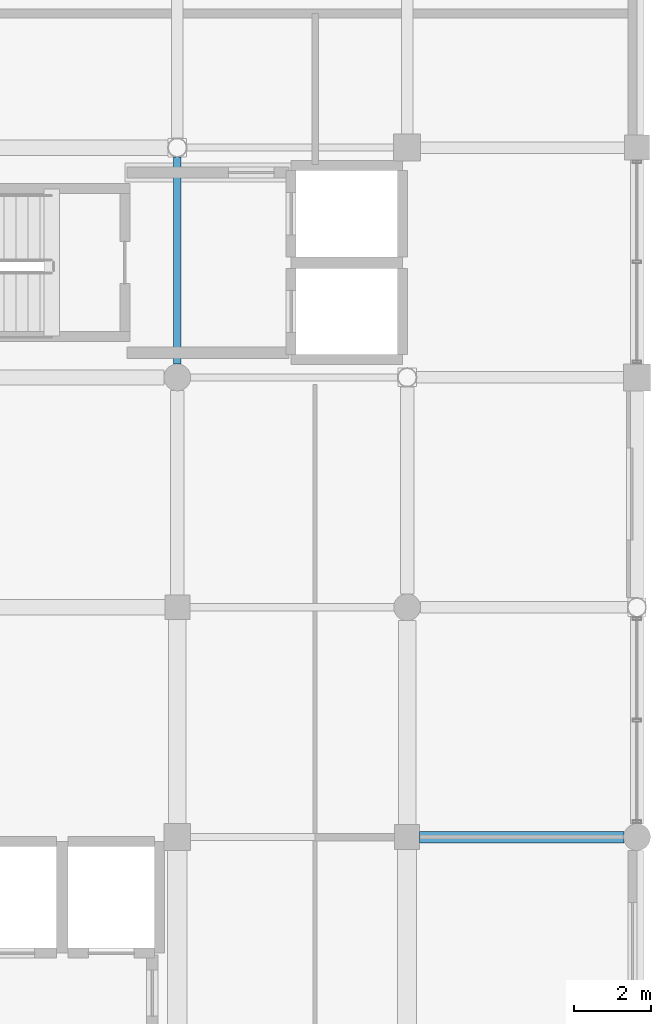
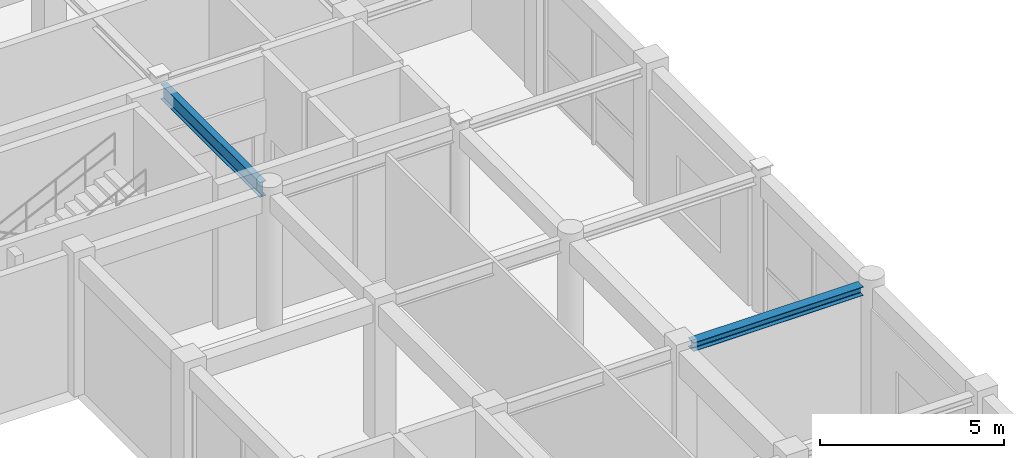
# One storey, part 77 of 112: 2 beams.
"""IFC4 building model written with IfcOpenShell, lengths in metres."""

from ifc_helpers import new_model, si_unit, direction, frame, origin, origin_2d, place, context, subcontext, project, spatial, i_section, extrude, material, material_profile, profile_set, type_object, element, save


model = new_model("IFC4")

# Units and contexts
model_context = context("Model", 3, precision=1e-05, world=origin(), true_north=direction((0.0, 1.0)))
body_context = subcontext(model_context, "Body", "Model", "MODEL_VIEW")
ifc_project = project(units=[si_unit("LENGTHUNIT", "METRE"), si_unit("AREAUNIT", "SQUARE_METRE"), si_unit("VOLUMEUNIT", "CUBIC_METRE"), si_unit("PLANEANGLEUNIT", "RADIAN"), si_unit("MASSUNIT", "GRAM", prefix="KILO"), si_unit("THERMODYNAMICTEMPERATUREUNIT", "KELVIN"), si_unit("POWERUNIT", "WATT")], contexts=[model_context])

# Site, building, storey
site_placement = place(None, origin())
site = spatial("IfcSite", under=ifc_project, at=site_placement, CompositionType="ELEMENT")
building_placement = place(site_placement, origin())
building = spatial("IfcBuilding", under=site, at=building_placement, Name="Phaisarnlok Congress Hotel", CompositionType="ELEMENT")
storey_placement = place(building_placement, frame((0.0, 0.0, 19.800048828125)))
storey = spatial("IfcBuildingStorey", under=building, at=storey_placement, Name="L04", CompositionType="ELEMENT", Elevation=19.800048828125)

# Beams
ifc_material = material(Name="Steel S355", Category="steel")
ifc_material_profile_1 = material_profile(ifc_material, i_section(OverallWidth=0.300048828125, OverallDepth=0.2900390625, WebThickness=0.008544921875, FlangeThickness=0.013916015625, FilletRadius=0.027099609375, at=origin_2d()), Name="HEA 300")
ifc_profile_set_1 = profile_set([ifc_material_profile_1], Name="Steel S355")
beam_type_1 = type_object("IfcBeamType", Name="BM-STL-HEA300", PredefinedType="BEAM", material=ifc_profile_set_1)
beam_1_placement = place(storey_placement, frame((174.320068359375, 96.0, 4.405029296875), z_axis=(1.0, 0.0, 0.0), x_axis=(0.0, 1.0, 0.0)))
element("IfcBeam", 1, at=beam_1_placement, inside=storey, type_object=beam_type_1, Name="Beam SB-05", PredefinedType="BEAM", context=body_context, shape_type="SweptSolid", body=[
    extrude(i_section(OverallWidth=0.300048828125, OverallDepth=0.2900390625, WebThickness=0.008544921875, FlangeThickness=0.013916015625, FilletRadius=0.027099609375, at=origin_2d()), origin(), (0.0, 0.0, 1.0), 5.3349609375),
])
ifc_material_profile_2 = material_profile(ifc_material, i_section(OverallWidth=0.199951171875, OverallDepth=0.5, WebThickness=0.01025390625, FlangeThickness=0.01611328125, FilletRadius=0.02099609375, at=origin_2d()), Name="IPE 500")
ifc_profile_set_2 = profile_set([ifc_material_profile_2], Name="Steel S355")
beam_type_2 = type_object("IfcBeamType", Name="BM-STL-IPE500", PredefinedType="BEAM", material=ifc_profile_set_2)
beam_2_placement = place(storey_placement, frame((168.0, 108.344970703125, 4.300048828125), z_axis=(0.0, 1.0, 0.0), x_axis=(-1.0, 0.0, 0.0)))
element("IfcBeam", 2, at=beam_2_placement, inside=storey, type_object=beam_type_2, Name="Beam SB-02", PredefinedType="BEAM", context=body_context, shape_type="SweptSolid", body=[
    extrude(i_section(OverallWidth=0.199951171875, OverallDepth=0.5, WebThickness=0.01025390625, FlangeThickness=0.01611328125, FilletRadius=0.02099609375, at=origin_2d()), origin(), (0.0, 0.0, 1.0), 5.406005859375),
])

save(model, "model.ifc")
